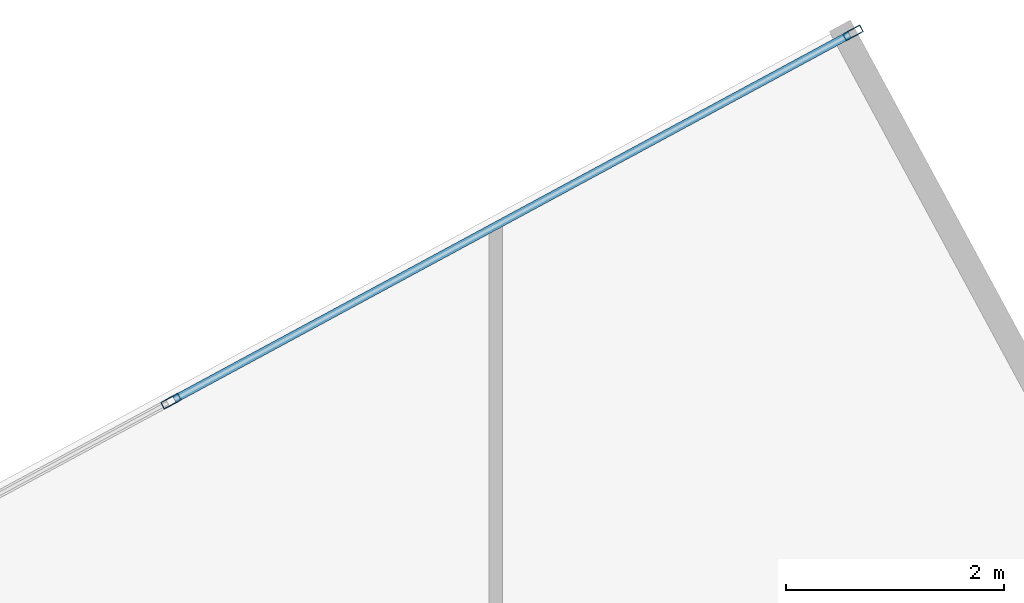
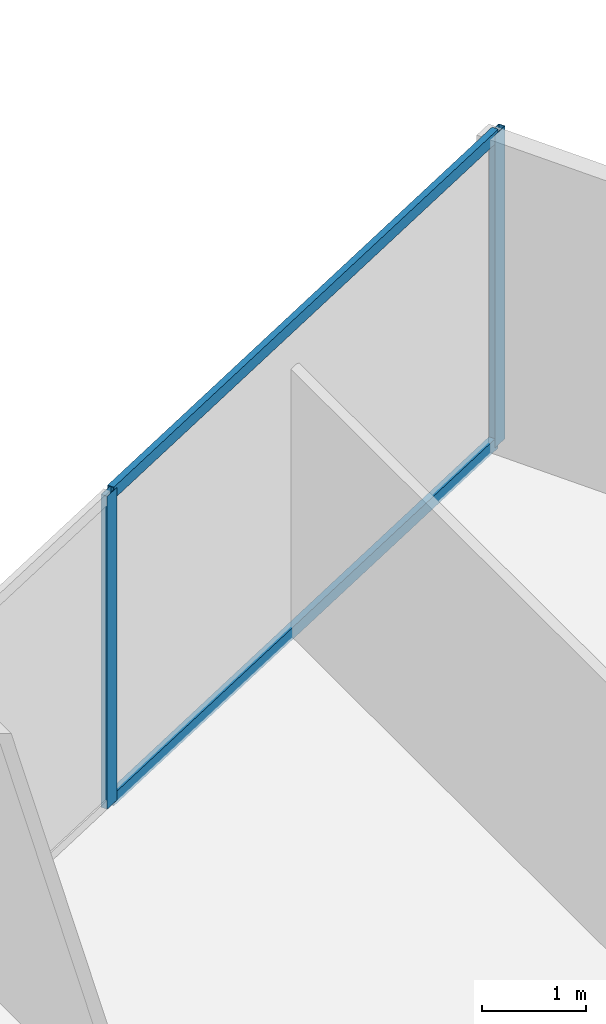
# One storey, part 16 of 22: 4 members, 1 element without a shape of its own.
"""IFC4 building model written with IfcOpenShell, lengths in metres."""

from ifc_helpers import new_model, si_unit, direction, frame, origin, origin_2d, place, context, subcontext, project, spatial, hollow_rectangle, extrude, source, transform, mapped, material, material_profile, profile_set, type_object, type_shapes, element, aggregate, save


model = new_model("IFC4")

# Units and contexts
model_context = context("Model", 3, precision=1e-05, world=origin(), true_north=direction((0.0, 1.0)))
body_context = subcontext(model_context, "Body", "Model", "MODEL_VIEW")
ifc_project = project(units=[si_unit("LENGTHUNIT", "METRE"), si_unit("AREAUNIT", "SQUARE_METRE"), si_unit("VOLUMEUNIT", "CUBIC_METRE"), si_unit("PLANEANGLEUNIT", "RADIAN"), si_unit("MASSUNIT", "GRAM", prefix="KILO")], contexts=[model_context])

# Site, building, storey
site_placement = place(None, origin())
site = spatial("IfcSite", under=ifc_project, at=site_placement, CompositionType="ELEMENT")
building_placement = place(site_placement, origin())
building = spatial("IfcBuilding", under=site, at=building_placement, Name="Krantzveldt Concourse Tower", CompositionType="ELEMENT")
storey_placement = place(building_placement, frame((0.0, 0.0, 302.949951171875)))
storey = spatial("IfcBuildingStorey", under=building, at=storey_placement, Name="L74", CompositionType="ELEMENT", Elevation=302.949951171875)

# Curtain wall, members
ifc_material = material(Name="Anodised aluminium 6063-T6", Category="aluminium")
curtain_wall_type = type_object("IfcCurtainWallType", Name="CW4", PredefinedType="USERDEFINED", material=ifc_material)
curtain_wall_placement = place(storey_placement, origin())
curtain_wall = element("IfcCurtainWall", 1, at=curtain_wall_placement, inside=storey, type_object=curtain_wall_type, Name="CW-L74-F01", ObjectType="UNITISED CURTAIN WALL", PredefinedType="USERDEFINED")
ifc_material_profile_1 = material_profile(ifc_material, hollow_rectangle(XDim=0.070068359375, YDim=0.179931640625, WallThickness=0.0048828125, at=origin_2d()), Name="Anodised aluminium 6063-T6", Category="aluminium")
ifc_profile_set_1 = profile_set([ifc_material_profile_1], Name="Anodised aluminium 6063-T6 - ALU-MULL 180x70x5")
member_type_1 = type_object("IfcMemberType", Name="CW-MUL-180", PredefinedType="MULLION", material=ifc_profile_set_1)
shared_shape_1 = source(origin(), body_context, "Body", "SweptSolid", [
    extrude(hollow_rectangle(XDim=0.070068359375, YDim=0.179931640625, WallThickness=0.0048828125, at=origin_2d()), origin(), (0.0, 0.0, 1.0), 3.670166015625),
])
type_shapes(member_type_1, [shared_shape_1])
member_1_placement = place(storey_placement, frame((39.279296875, 50.645263671875, 0.0), z_axis=(0.0, 0.0, 1.0), x_axis=(0.475240271736, -0.87985605875, 0.0)))
member_1 = element("IfcMember", 2, at=member_1_placement, type_object=member_type_1, Name="CW-Z56 mullion 1", PredefinedType="MULLION", context=body_context, shape_type="MappedRepresentation", body=[
    mapped(shared_shape_1, transform((0.0, 0.0, 0.0), x_axis=(1.0, 0.0, 0.0), y_axis=(0.0, 1.0, 0.0), z_axis=(0.0, 0.0, 1.0), scale=1.0)),
])
member_2_placement = place(storey_placement, frame((33.01904296875, 47.263916015625, 0.0), z_axis=(0.0, 0.0, 1.0), x_axis=(0.475240271736, -0.87985605875, 0.0)))
member_2 = element("IfcMember", 3, at=member_2_placement, type_object=member_type_1, Name="CW-Z56 mullion 2", PredefinedType="MULLION", context=body_context, shape_type="MappedRepresentation", body=[
    mapped(shared_shape_1, transform((0.0, 0.0, 0.0), x_axis=(1.0, 0.0, 0.0), y_axis=(0.0, 1.0, 0.0), z_axis=(0.0, 0.0, 1.0), scale=1.0)),
])
ifc_material_profile_2 = material_profile(ifc_material, hollow_rectangle(XDim=0.070068359375, YDim=0.139892578125, WallThickness=0.0048828125, at=origin_2d()), Name="Anodised aluminium 6063-T6", Category="aluminium")
ifc_profile_set_2 = profile_set([ifc_material_profile_2], Name="Anodised aluminium 6063-T6 - ALU-TRAN 140x70x5")
member_type_2 = type_object("IfcMemberType", Name="CW-TRN-150", PredefinedType="USERDEFINED", material=ifc_profile_set_2)
shared_shape_2 = source(origin(), body_context, "Body", "SweptSolid", [
    extrude(hollow_rectangle(XDim=0.070068359375, YDim=0.139892578125, WallThickness=0.0048828125, at=origin_2d()), origin(), (0.0, 0.0, 1.0), 7.044921875),
])
type_shapes(member_type_2, [shared_shape_2])
member_3_placement = place(storey_placement, frame((39.248291015625, 50.628662109375, 0.03515625), z_axis=(-0.879848306025, -0.475254624791, 0.0), x_axis=(0.475254624791, -0.879848306025, 0.0)))
member_3 = element("IfcMember", 4, at=member_3_placement, type_object=member_type_2, Name="CW-Z56 transom 1.1", ObjectType="TRANSOM", PredefinedType="USERDEFINED", context=body_context, shape_type="MappedRepresentation", body=[
    mapped(shared_shape_2, transform((0.0, 0.0, 0.0), x_axis=(1.0, 0.0, 0.0), y_axis=(0.0, 1.0, 0.0), z_axis=(0.0, 0.0, 1.0), scale=1.0)),
])
member_4_placement = place(storey_placement, frame((39.248291015625, 50.628662109375, 3.635009765625), z_axis=(-0.879848306025, -0.475254624791, 0.0), x_axis=(0.475254624791, -0.879848306025, 0.0)))
member_4 = element("IfcMember", 5, at=member_4_placement, type_object=member_type_2, Name="CW-Z56 transom 1.2", ObjectType="TRANSOM", PredefinedType="USERDEFINED", context=body_context, shape_type="MappedRepresentation", body=[
    mapped(shared_shape_2, transform((0.0, 0.0, 0.0), x_axis=(1.0, 0.0, 0.0), y_axis=(0.0, 1.0, 0.0), z_axis=(0.0, 0.0, 1.0), scale=1.0)),
])
aggregate(curtain_wall, [member_1, member_2, member_3, member_4])

save(model, "model.ifc")
